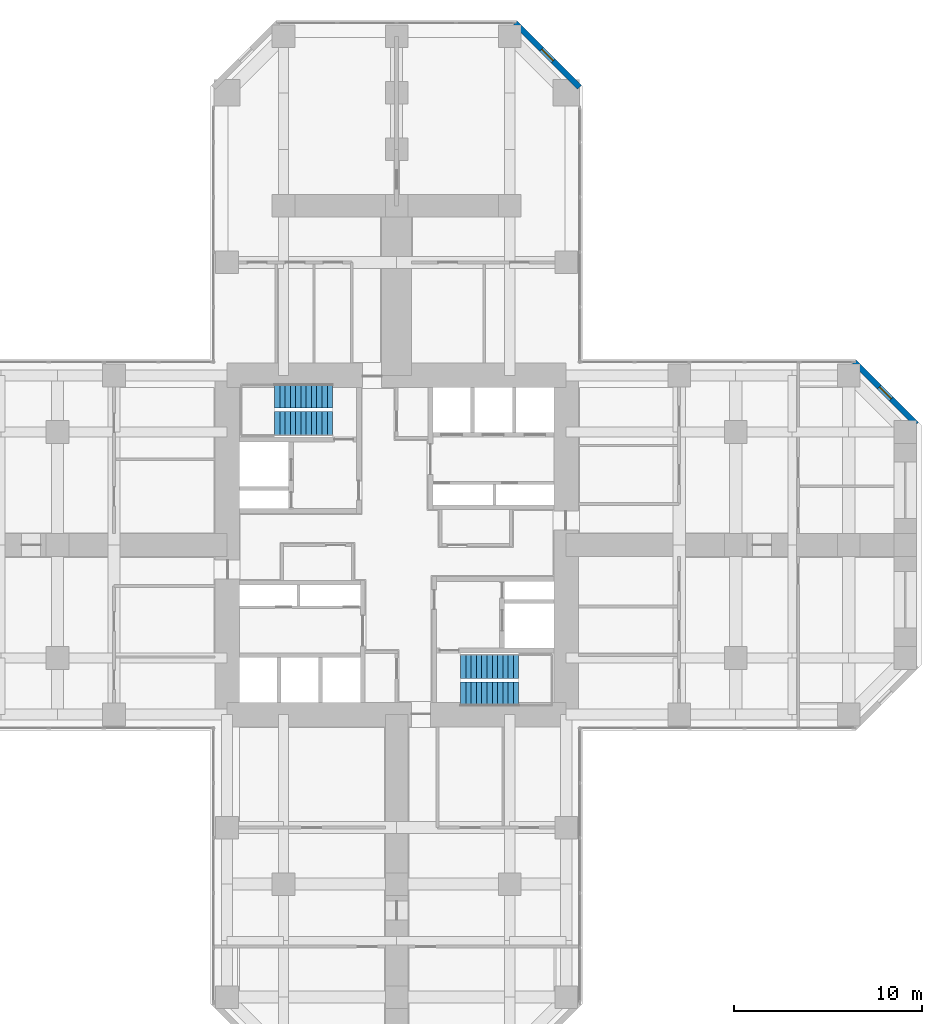
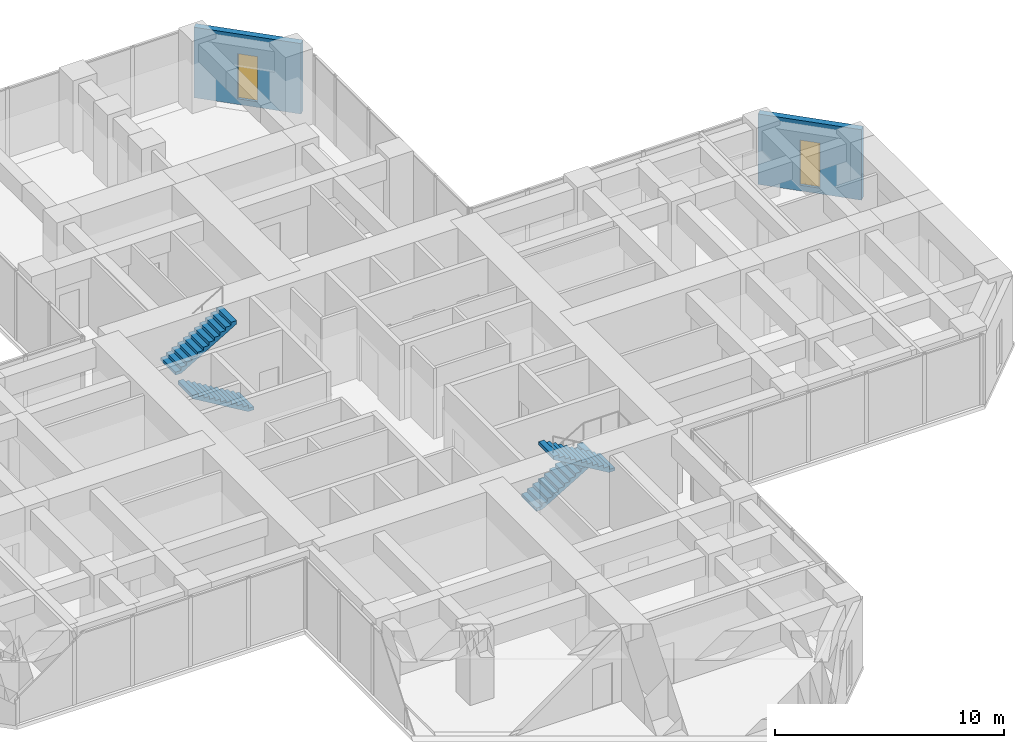
# One storey, part 12 of 13: 4 stair flights, 2 walls, 2 windows, 2 openings, 2 elements without a shape of their own.
"""IFC4 building model written with IfcOpenShell, lengths in metres."""

from ifc_helpers import new_model, si_unit, direction, frame, frame_2d, origin, place, context, subcontext, project, spatial, polyline, rectangle, hollow_rectangle, outline, extrude, material, layer, layer_set, constituent, constituent_set, type_object, element, fill, aggregate, save


model = new_model("IFC4")

# Units and contexts
model_context = context("Model", 3, precision=1e-05, world=origin(), true_north=direction((0.0, 1.0)))
body_context = subcontext(model_context, "Body", "Model", "MODEL_VIEW")
ifc_project = project(units=[si_unit("LENGTHUNIT", "METRE"), si_unit("AREAUNIT", "SQUARE_METRE"), si_unit("VOLUMEUNIT", "CUBIC_METRE"), si_unit("PLANEANGLEUNIT", "RADIAN"), si_unit("MASSUNIT", "GRAM", prefix="KILO")], contexts=[model_context])

# Site, building, storey
site_placement = place(None, origin())
site = spatial("IfcSite", under=ifc_project, at=site_placement, CompositionType="ELEMENT")
building_placement = place(site_placement, origin())
building = spatial("IfcBuilding", under=site, at=building_placement, Name="Torre Cruceta", CompositionType="ELEMENT")
storey_placement = place(building_placement, frame((0.0, 0.0, 91.5)))
storey = spatial("IfcBuildingStorey", under=building, at=storey_placement, Name="L22", CompositionType="ELEMENT", Elevation=91.5)

# Wall, opening, window
ifc_material_1 = material(Name="Concrete G30 (fck 30 MPa)", Category="concrete")
ifc_layer = layer(ifc_material_1, 0.300048828125)
ifc_layer_set = layer_set([ifc_layer], Name="Concrete G30 (fck 30 MPa)")
wall_type = type_object("IfcWallType", Name="EXPOSED CONCRETE FACADE WALL 300", PredefinedType="SOLIDWALL", material=ifc_layer_set)
wall_1_placement = place(storey_placement, frame((27.60009765625, 6.418212890625, 0.0), z_axis=(0.0, 0.0, 1.0), x_axis=(-0.707106781187, 0.707106781187, 0.0)))
wall_1 = element("IfcWall", 1, at=wall_1_placement, inside=storey, type_object=wall_type, Name="EW1 facade wall L22 E chamfer 03", PredefinedType="SOLIDWALL", context=body_context, shape_type="SweptSolid", body=[
    extrude(rectangle(XDim=4.66943359375, YDim=0.300048828125, at=frame_2d((2.334716796875, 0.0))), origin(), (0.0, 0.0, 1.0), 3.75),
])
opening_1_placement = place(wall_1_placement, frame((1.884765625, 0.0, 0.300048828125)))
opening_1 = element("IfcOpeningElement", 2, at=opening_1_placement, cuts=wall_1, Name="Opening WN5", PredefinedType="OPENING", context=body_context, shape_type="SweptSolid", body=[
    extrude(rectangle(XDim=0.89990234375, YDim=2.39990234375, at=frame_2d((0.449951171875, 1.199951171875))), frame((0.0, 0.159912109375, 0.0), z_axis=(0.0, -1.0, 0.0), x_axis=(1.0, 0.0, 0.0)), (0.0, 0.0, 1.0), 0.320068359375),
])
ifc_material_2 = material(Name="Aluminium window frame", Category="aluminium")
ifc_constituent_1 = constituent(ifc_material_2, Name="Frame")
ifc_material_3 = material(Name="Laminated insulating glass unit, low-iron clear", Category="glass")
ifc_constituent_2 = constituent(ifc_material_3, Name="Glazing")
ifc_constituent_set = constituent_set(constituents=[ifc_constituent_1, ifc_constituent_2], Name="Aluminium window")
window_type = type_object("IfcWindowType", Name="CHAMFER SLOT WINDOW 900X2400", PartitioningType="SINGLE_PANEL", PredefinedType="WINDOW", material=ifc_constituent_set)
window_1_placement = place(opening_1_placement, origin())
window_1 = element("IfcWindow", 3, at=window_1_placement, inside=storey, type_object=window_type, Name="WN5 L22 E 1", OverallHeight=2.39990234375, OverallWidth=0.89990234375, PartitioningType="SINGLE_PANEL", PredefinedType="WINDOW", context=body_context, shape_type="SweptSolid", body=[
    extrude(hollow_rectangle(XDim=0.89990234375, YDim=2.39990234375, WallThickness=0.06005859375, at=frame_2d((0.449951171875, 1.199951171875))), frame((0.0, 0.030029296875, 0.0), z_axis=(0.0, -1.0, 0.0), x_axis=(1.0, 0.0, 0.0)), (0.0, 0.0, 1.0), 0.06005859375),
    extrude(rectangle(XDim=0.77880859375, YDim=2.27880859375, at=frame_2d((0.449951171875, 1.199951171875))), frame((0.0, 0.030029296875, 0.0), z_axis=(0.0, -1.0, 0.0), x_axis=(1.0, 0.0, 0.0)), (0.0, 0.0, 1.0), 0.06005859375),
])
fill(opening_1, window_1)

wall_2_placement = place(storey_placement, frame((9.719970703125, 24.29833984375, 0.0), z_axis=(0.0, 0.0, 1.0), x_axis=(-0.707106781187, 0.707106781187, 0.0)))
wall_2 = element("IfcWall", 4, at=wall_2_placement, inside=storey, type_object=wall_type, Name="EW1 facade wall L22 N chamfer 06", PredefinedType="SOLIDWALL", context=body_context, shape_type="SweptSolid", body=[
    extrude(rectangle(XDim=4.8388671875, YDim=0.300048828125, at=frame_2d((2.41943359375, 0.0))), origin(), (0.0, 0.0, 1.0), 3.75),
])
opening_2_placement = place(wall_2_placement, frame((1.969482421875, 0.0, 0.300048828125)))
opening_2 = element("IfcOpeningElement", 5, at=opening_2_placement, cuts=wall_2, Name="Opening WN5", PredefinedType="OPENING", context=body_context, shape_type="SweptSolid", body=[
    extrude(rectangle(XDim=0.89990234375, YDim=2.39990234375, at=frame_2d((0.449951171875, 1.199951171875))), frame((0.0, 0.159912109375, 0.0), z_axis=(0.0, -1.0, 0.0), x_axis=(1.0, 0.0, 0.0)), (0.0, 0.0, 1.0), 0.320068359375),
])
window_2_placement = place(opening_2_placement, origin())
window_2 = element("IfcWindow", 6, at=window_2_placement, inside=storey, type_object=window_type, Name="WN5 L22 N 1", OverallHeight=2.39990234375, OverallWidth=0.89990234375, PartitioningType="SINGLE_PANEL", PredefinedType="WINDOW", context=body_context, shape_type="SweptSolid", body=[
    extrude(hollow_rectangle(XDim=0.89990234375, YDim=2.39990234375, WallThickness=0.06005859375, at=frame_2d((0.449951171875, 1.199951171875))), frame((0.0, 0.030029296875, 0.0), z_axis=(0.0, -1.0, 0.0), x_axis=(1.0, 0.0, 0.0)), (0.0, 0.0, 1.0), 0.06005859375),
    extrude(rectangle(XDim=0.77880859375, YDim=2.27880859375, at=frame_2d((0.449951171875, 1.199951171875))), frame((0.0, 0.030029296875, 0.0), z_axis=(0.0, -1.0, 0.0), x_axis=(1.0, 0.0, 0.0)), (0.0, 0.0, 1.0), 0.06005859375),
])
fill(opening_2, window_2)

# Stair, stair flights
ifc_material_4 = material(Name="Concrete G30 (fck 30 MPa)", Category="concrete")
stair_type = type_object("IfcStairType", Name="STAIR HALF-TURN 1300", PredefinedType="HALF_TURN_STAIR", material=ifc_material_4)
stair_1_placement = place(storey_placement, origin())
stair_1 = element("IfcStair", 7, at=stair_1_placement, inside=storey, type_object=stair_type, Name="Stair ST1 L22", PredefinedType="HALF_TURN_STAIR")
ifc_material_5 = material(Name="Concrete G30 (fck 30 MPa)", Category="concrete")
stair_flight_type = type_object("IfcStairFlightType", Name="STAIR FLIGHT 1300", PredefinedType="STRAIGHT", material=ifc_material_5)
stair_flight_1_placement = place(storey_placement, frame((-3.39990234375, 6.425048828125, 0.0), z_axis=(0.0, 0.0, 1.0), x_axis=(-1.0, 0.0, 0.0)))
stair_flight_1 = element("IfcStairFlight", 8, at=stair_flight_1_placement, type_object=stair_flight_type, Name="ST1 flight 1", NumberOfRisers=12, NumberOfTreads=11, PredefinedType="STRAIGHT", RiserHeight=0.166666667, TreadLength=0.28, context=body_context, shape_type="SweptSolid", body=[
    extrude(outline(polyline([(0.0, 0.0), (0.0, 0.166748046875), (0.280029296875, 0.166748046875), (0.280029296875, 0.333251953125), (0.56005859375, 0.333251953125), (0.56005859375, 0.5), (0.840087890625, 0.5), (0.840087890625, 0.666748046875), (1.1201171875, 0.666748046875), (1.1201171875, 0.833251953125), (1.39990234375, 0.833251953125), (1.39990234375, 1.0), (1.679931640625, 1.0), (1.679931640625, 1.166748046875), (1.9599609375, 1.166748046875), (1.9599609375, 1.333251953125), (2.239990234375, 1.333251953125), (2.239990234375, 1.5), (2.52001953125, 1.5), (2.52001953125, 1.666748046875), (2.800048828125, 1.666748046875), (2.800048828125, 1.833251953125), (3.080078125, 1.833251953125), (3.080078125, 2.0), (3.080078125, 1.658935546875), (0.29296875, 0.0), (0.0, 0.0)])), frame((0.0, 0.64990234375, 0.0), z_axis=(0.0, -1.0, 0.0), x_axis=(1.0, 0.0, 0.0)), (0.0, 0.0, 1.0), 1.300048828125),
])
stair_flight_2_placement = place(storey_placement, frame((-6.47998046875, 7.925048828125, 2.0), z_axis=(0.0, 0.0, 1.0), x_axis=(1.0, 0.0, 0.0)))
stair_flight_2 = element("IfcStairFlight", 9, at=stair_flight_2_placement, type_object=stair_flight_type, Name="ST1 flight 2", NumberOfRisers=12, NumberOfTreads=11, PredefinedType="STRAIGHT", RiserHeight=0.166666667, TreadLength=0.28, context=body_context, shape_type="SweptSolid", body=[
    extrude(outline(polyline([(0.0, 0.0), (0.0, 0.166748046875), (0.280029296875, 0.166748046875), (0.280029296875, 0.333251953125), (0.56005859375, 0.333251953125), (0.56005859375, 0.5), (0.840087890625, 0.5), (0.840087890625, 0.666748046875), (1.1201171875, 0.666748046875), (1.1201171875, 0.833251953125), (1.39990234375, 0.833251953125), (1.39990234375, 1.0), (1.679931640625, 1.0), (1.679931640625, 1.166748046875), (1.9599609375, 1.166748046875), (1.9599609375, 1.333251953125), (2.239990234375, 1.333251953125), (2.239990234375, 1.5), (2.52001953125, 1.5), (2.52001953125, 1.666748046875), (2.800048828125, 1.666748046875), (2.800048828125, 1.833251953125), (3.080078125, 1.833251953125), (3.080078125, 2.0), (3.080078125, 1.658935546875), (0.29296875, 0.0), (0.0, 0.0)])), frame((0.0, 0.64990234375, 0.0), z_axis=(0.0, -1.0, 0.0), x_axis=(1.0, 0.0, 0.0)), (0.0, 0.0, 1.0), 1.300048828125),
])
aggregate(stair_1, [stair_flight_1, stair_flight_2])

stair_2_placement = place(storey_placement, origin())
stair_2 = element("IfcStair", 10, at=stair_2_placement, inside=storey, type_object=stair_type, Name="Stair ST2 L22", PredefinedType="HALF_TURN_STAIR")
stair_flight_3_placement = place(storey_placement, frame((3.39990234375, -6.425048828125, 0.0), z_axis=(0.0, 0.0, 1.0), x_axis=(1.0, 0.0, 0.0)))
stair_flight_3 = element("IfcStairFlight", 11, at=stair_flight_3_placement, type_object=stair_flight_type, Name="ST2 flight 1", NumberOfRisers=12, NumberOfTreads=11, PredefinedType="STRAIGHT", RiserHeight=0.166666667, TreadLength=0.28, context=body_context, shape_type="SweptSolid", body=[
    extrude(outline(polyline([(0.0, 0.0), (0.0, 0.166748046875), (0.280029296875, 0.166748046875), (0.280029296875, 0.333251953125), (0.56005859375, 0.333251953125), (0.56005859375, 0.5), (0.840087890625, 0.5), (0.840087890625, 0.666748046875), (1.1201171875, 0.666748046875), (1.1201171875, 0.833251953125), (1.39990234375, 0.833251953125), (1.39990234375, 1.0), (1.679931640625, 1.0), (1.679931640625, 1.166748046875), (1.9599609375, 1.166748046875), (1.9599609375, 1.333251953125), (2.239990234375, 1.333251953125), (2.239990234375, 1.5), (2.52001953125, 1.5), (2.52001953125, 1.666748046875), (2.800048828125, 1.666748046875), (2.800048828125, 1.833251953125), (3.080078125, 1.833251953125), (3.080078125, 2.0), (3.080078125, 1.658935546875), (0.29296875, 0.0), (0.0, 0.0)])), frame((0.0, 0.64990234375, 0.0), z_axis=(0.0, -1.0, 0.0), x_axis=(1.0, 0.0, 0.0)), (0.0, 0.0, 1.0), 1.300048828125),
])
stair_flight_4_placement = place(storey_placement, frame((6.47998046875, -7.925048828125, 2.0), z_axis=(0.0, 0.0, 1.0), x_axis=(-1.0, 0.0, 0.0)))
stair_flight_4 = element("IfcStairFlight", 12, at=stair_flight_4_placement, type_object=stair_flight_type, Name="ST2 flight 2", NumberOfRisers=12, NumberOfTreads=11, PredefinedType="STRAIGHT", RiserHeight=0.166666667, TreadLength=0.28, context=body_context, shape_type="SweptSolid", body=[
    extrude(outline(polyline([(0.0, 0.0), (0.0, 0.166748046875), (0.280029296875, 0.166748046875), (0.280029296875, 0.333251953125), (0.56005859375, 0.333251953125), (0.56005859375, 0.5), (0.840087890625, 0.5), (0.840087890625, 0.666748046875), (1.1201171875, 0.666748046875), (1.1201171875, 0.833251953125), (1.39990234375, 0.833251953125), (1.39990234375, 1.0), (1.679931640625, 1.0), (1.679931640625, 1.166748046875), (1.9599609375, 1.166748046875), (1.9599609375, 1.333251953125), (2.239990234375, 1.333251953125), (2.239990234375, 1.5), (2.52001953125, 1.5), (2.52001953125, 1.666748046875), (2.800048828125, 1.666748046875), (2.800048828125, 1.833251953125), (3.080078125, 1.833251953125), (3.080078125, 2.0), (3.080078125, 1.658935546875), (0.29296875, 0.0), (0.0, 0.0)])), frame((0.0, 0.64990234375, 0.0), z_axis=(0.0, -1.0, 0.0), x_axis=(1.0, 0.0, 0.0)), (0.0, 0.0, 1.0), 1.300048828125),
])
aggregate(stair_2, [stair_flight_3, stair_flight_4])

save(model, "model.ifc")
